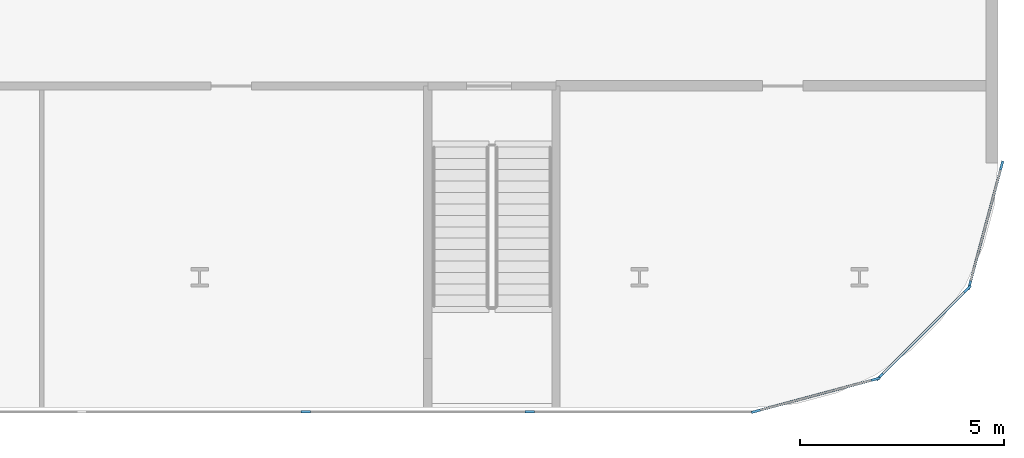
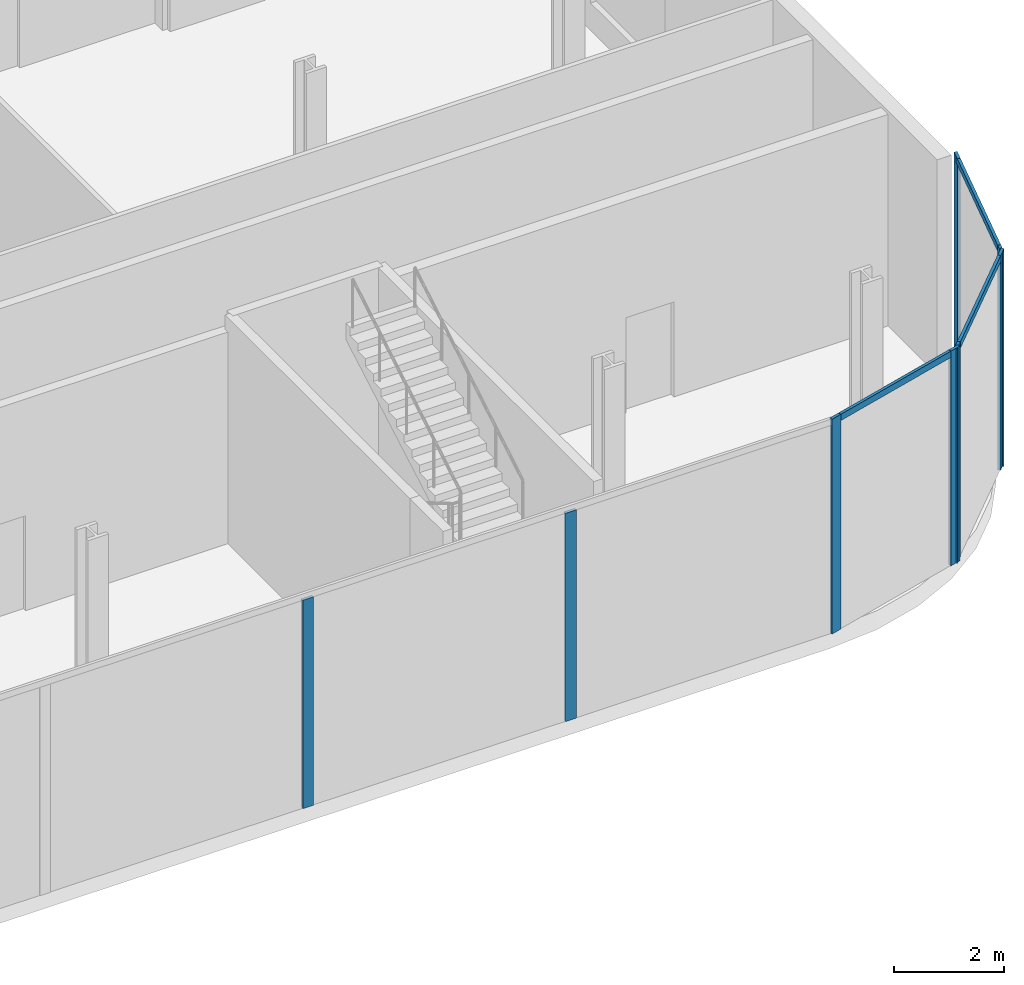
# One storey, part 12 of 47: 11 members, 4 elements without a shape of their own.
"""IFC4 building model written with IfcOpenShell, lengths in metres."""

from ifc_helpers import new_model, si_unit, direction, frame, origin, origin_2d, place, context, subcontext, project, spatial, rectangle, extrude, material, layer, layer_set, material_profile, profile_set, type_object, element, aggregate, save


model = new_model("IFC4")

# Units and contexts
model_context = context("Model", 3, precision=1e-05, world=origin(), true_north=direction((0.0, 1.0)))
body_context = subcontext(model_context, "Body", "Model", "MODEL_VIEW")
ifc_project = project(units=[si_unit("LENGTHUNIT", "METRE"), si_unit("AREAUNIT", "SQUARE_METRE"), si_unit("VOLUMEUNIT", "CUBIC_METRE"), si_unit("PLANEANGLEUNIT", "RADIAN"), si_unit("MASSUNIT", "GRAM", prefix="KILO")], contexts=[model_context])

# Site, building, storey
site_placement = place(None, origin())
site = spatial("IfcSite", under=ifc_project, at=site_placement, CompositionType="ELEMENT")
building_placement = place(site_placement, origin())
building = spatial("IfcBuilding", under=site, at=building_placement, Name="Kheshtan School and Residences Tower", CompositionType="ELEMENT")
storey_placement = place(building_placement, frame((0.0, 0.0, 7.5)))
storey = spatial("IfcBuildingStorey", under=building, at=storey_placement, Name="L01", CompositionType="ELEMENT", Elevation=7.5)

# Curtain wall, members
ifc_material_1 = material(Name="Clear low-e glass in thermally broken aluminium frame", Category="aluminium")
ifc_layer = layer(ifc_material_1, 0.22509765625)
ifc_layer_set = layer_set([ifc_layer], Name="Curtain wall CW-P")
curtain_wall_type = type_object("IfcCurtainWallType", Name="Curtain wall CW-P", PredefinedType="NOTDEFINED", material=ifc_layer_set)
curtain_wall_1_placement = place(storey_placement, origin())
curtain_wall_1 = element("IfcCurtainWall", 1, at=curtain_wall_1_placement, inside=storey, type_object=curtain_wall_type, Name="Curtain wall CWP9", PredefinedType="NOTDEFINED")
ifc_material_2 = material(Name="Thermally broken aluminium, dark bronze anodised", Category="aluminium")
ifc_material_profile_1 = material_profile(ifc_material_2, rectangle(XDim=0.06005859375, YDim=0.22509765625, at=origin_2d()), Name="CW-P mullion 60x225")
ifc_profile_set_1 = profile_set([ifc_material_profile_1], Name="Thermally broken aluminium, dark bronze anodised")
member_type_1 = type_object("IfcMemberType", Name="CW-P mullion 60x225", PredefinedType="MULLION", material=ifc_profile_set_1)
member_1_placement = place(storey_placement, frame((132.0888671875, 15.945068359375, 0.0), z_axis=(0.0, 0.0, 1.0), x_axis=(0.965913556273, -0.258864833085, 0.0)))
member_1 = element("IfcMember", 2, at=member_1_placement, type_object=member_type_1, Name="CWP9 mullion 1", PredefinedType="MULLION", context=body_context, shape_type="SweptSolid", body=[
    extrude(rectangle(XDim=0.06005859375, YDim=0.22509765625, at=origin_2d()), origin(), (0.0, 0.0, 1.0), 4.75),
])
member_2_placement = place(storey_placement, frame((131.30029296875, 13.003173828125, 0.0), z_axis=(0.0, 0.0, 1.0), x_axis=(0.965913556273, -0.258864833085, 0.0)))
member_2 = element("IfcMember", 3, at=member_2_placement, type_object=member_type_1, Name="CWP9 mullion 2", PredefinedType="MULLION", context=body_context, shape_type="SweptSolid", body=[
    extrude(rectangle(XDim=0.06005859375, YDim=0.22509765625, at=origin_2d()), origin(), (0.0, 0.0, 1.0), 4.75),
])

curtain_wall_2_placement = place(storey_placement, origin())
curtain_wall_2 = element("IfcCurtainWall", 4, at=curtain_wall_2_placement, inside=storey, type_object=curtain_wall_type, Name="Curtain wall CWP10", PredefinedType="NOTDEFINED")
member_3_placement = place(storey_placement, frame((131.24560546875, 12.907958984375, 0.0), z_axis=(0.0, 0.0, 1.0), x_axis=(0.707106781187, -0.707106781187, 0.0)))
member_3 = element("IfcMember", 5, at=member_3_placement, type_object=member_type_1, Name="CWP10 mullion 1", PredefinedType="MULLION", context=body_context, shape_type="SweptSolid", body=[
    extrude(rectangle(XDim=0.06005859375, YDim=0.22509765625, at=origin_2d()), origin(), (0.0, 0.0, 1.0), 4.75),
])
member_4_placement = place(storey_placement, frame((129.092041015625, 10.75439453125, 0.0), z_axis=(0.0, 0.0, 1.0), x_axis=(0.707106781187, -0.707106781187, 0.0)))
member_4 = element("IfcMember", 6, at=member_4_placement, type_object=member_type_1, Name="CWP10 mullion 2", PredefinedType="MULLION", context=body_context, shape_type="SweptSolid", body=[
    extrude(rectangle(XDim=0.06005859375, YDim=0.22509765625, at=origin_2d()), origin(), (0.0, 0.0, 1.0), 4.75),
])

curtain_wall_3_placement = place(storey_placement, origin())
curtain_wall_3 = element("IfcCurtainWall", 7, at=curtain_wall_3_placement, inside=storey, type_object=curtain_wall_type, Name="Curtain wall CWP11", PredefinedType="NOTDEFINED")
member_5_placement = place(storey_placement, frame((128.996826171875, 10.69970703125, 0.0), z_axis=(0.0, 0.0, 1.0), x_axis=(0.258864833085, -0.965913556273, 0.0)))
member_5 = element("IfcMember", 8, at=member_5_placement, type_object=member_type_1, Name="CWP11 mullion 1", PredefinedType="MULLION", context=body_context, shape_type="SweptSolid", body=[
    extrude(rectangle(XDim=0.06005859375, YDim=0.22509765625, at=origin_2d()), origin(), (0.0, 0.0, 1.0), 4.75),
])
member_6_placement = place(storey_placement, frame((126.054931640625, 9.9111328125, 0.0), z_axis=(0.0, 0.0, 1.0), x_axis=(0.258864833085, -0.965913556273, 0.0)))
member_6 = element("IfcMember", 9, at=member_6_placement, type_object=member_type_1, Name="CWP11 mullion 2", PredefinedType="MULLION", context=body_context, shape_type="SweptSolid", body=[
    extrude(rectangle(XDim=0.06005859375, YDim=0.22509765625, at=origin_2d()), origin(), (0.0, 0.0, 1.0), 4.75),
])

curtain_wall_4_placement = place(storey_placement, origin())
curtain_wall_4 = element("IfcCurtainWall", 10, at=curtain_wall_4_placement, inside=storey, type_object=curtain_wall_type, Name="Curtain wall CWP12", PredefinedType="NOTDEFINED")
member_7_placement = place(storey_placement, frame((120.501708984375, 9.89990234375, 0.0), z_axis=(0.0, 0.0, 1.0), x_axis=(0.0, -1.0, 0.0)))
member_7 = element("IfcMember", 11, at=member_7_placement, type_object=member_type_1, Name="CWP12 mullion 2", PredefinedType="MULLION", context=body_context, shape_type="SweptSolid", body=[
    extrude(rectangle(XDim=0.06005859375, YDim=0.22509765625, at=origin_2d()), origin(), (0.0, 0.0, 1.0), 4.610107421875),
])
member_8_placement = place(storey_placement, frame((115.003662109375, 9.89990234375, 0.0), z_axis=(0.0, 0.0, 1.0), x_axis=(0.0, -1.0, 0.0)))
member_8 = element("IfcMember", 12, at=member_8_placement, type_object=member_type_1, Name="CWP12 mullion 3", PredefinedType="MULLION", context=body_context, shape_type="SweptSolid", body=[
    extrude(rectangle(XDim=0.06005859375, YDim=0.22509765625, at=origin_2d()), origin(), (0.0, 0.0, 1.0), 4.610107421875),
])
aggregate(curtain_wall_4, [member_7, member_8])

# Member
ifc_material_profile_2 = material_profile(ifc_material_2, rectangle(XDim=0.06005859375, YDim=0.139892578125, at=origin_2d()), Name="CW-P transom 60x140")
ifc_profile_set_2 = profile_set([ifc_material_profile_2], Name="Thermally broken aluminium, dark bronze anodised")
member_type_2 = type_object("IfcMemberType", Name="CW-P transom 60x140", PredefinedType="USERDEFINED", material=ifc_profile_set_2)
member_9_placement = place(storey_placement, frame((132.0810546875, 15.916259765625, 4.679931640625), z_axis=(-0.258853238275, -0.965916663607, 0.0), x_axis=(0.965916663607, -0.258853238275, 0.0)))
member_9 = element("IfcMember", 13, at=member_9_placement, type_object=member_type_2, Name="CWP9 transom 1", ObjectType="TRANSOM", PredefinedType="USERDEFINED", context=body_context, shape_type="SweptSolid", body=[
    extrude(rectangle(XDim=0.06005859375, YDim=0.139892578125, at=origin_2d()), origin(), (0.0, 0.0, 1.0), 2.986083984375),
])

aggregate(curtain_wall_1, [member_1, member_2, member_9])

member_10_placement = place(storey_placement, frame((131.224365234375, 12.886962890625, 4.679931640625), z_axis=(-0.707106781187, -0.707106781187, 0.0), x_axis=(0.707106781187, -0.707106781187, 0.0)))
member_10 = element("IfcMember", 14, at=member_10_placement, type_object=member_type_2, Name="CWP10 transom 1", ObjectType="TRANSOM", PredefinedType="USERDEFINED", context=body_context, shape_type="SweptSolid", body=[
    extrude(rectangle(XDim=0.06005859375, YDim=0.139892578125, at=origin_2d()), origin(), (0.0, 0.0, 1.0), 2.98583984375),
])

aggregate(curtain_wall_2, [member_3, member_4, member_10])

member_11_placement = place(storey_placement, frame((128.968017578125, 10.69189453125, 4.679931640625), z_axis=(-0.965916663607, -0.258853238275, 0.0), x_axis=(0.258853238275, -0.965916663607, 0.0)))
member_11 = element("IfcMember", 15, at=member_11_placement, type_object=member_type_2, Name="CWP11 transom 1", ObjectType="TRANSOM", PredefinedType="USERDEFINED", context=body_context, shape_type="SweptSolid", body=[
    extrude(rectangle(XDim=0.06005859375, YDim=0.139892578125, at=origin_2d()), origin(), (0.0, 0.0, 1.0), 2.986083984375),
])

aggregate(curtain_wall_3, [member_5, member_6, member_11])

save(model, "model.ifc")
